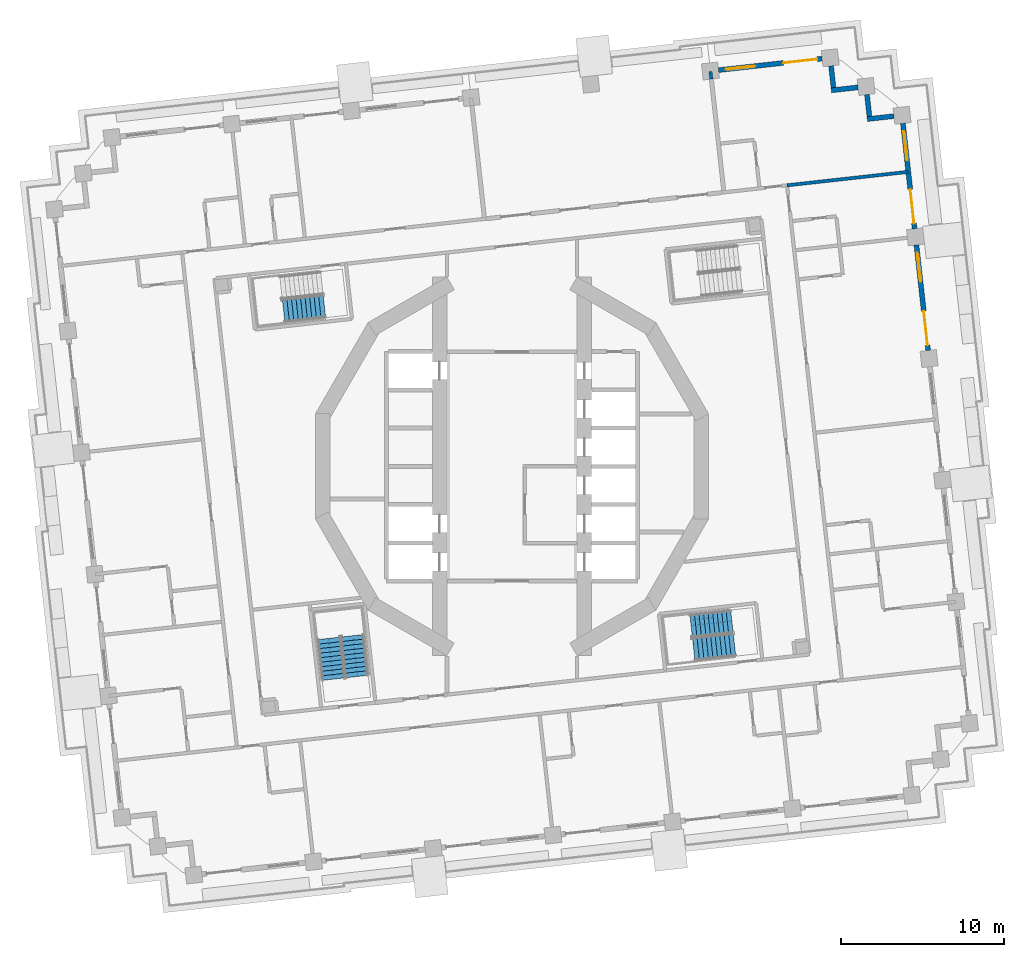
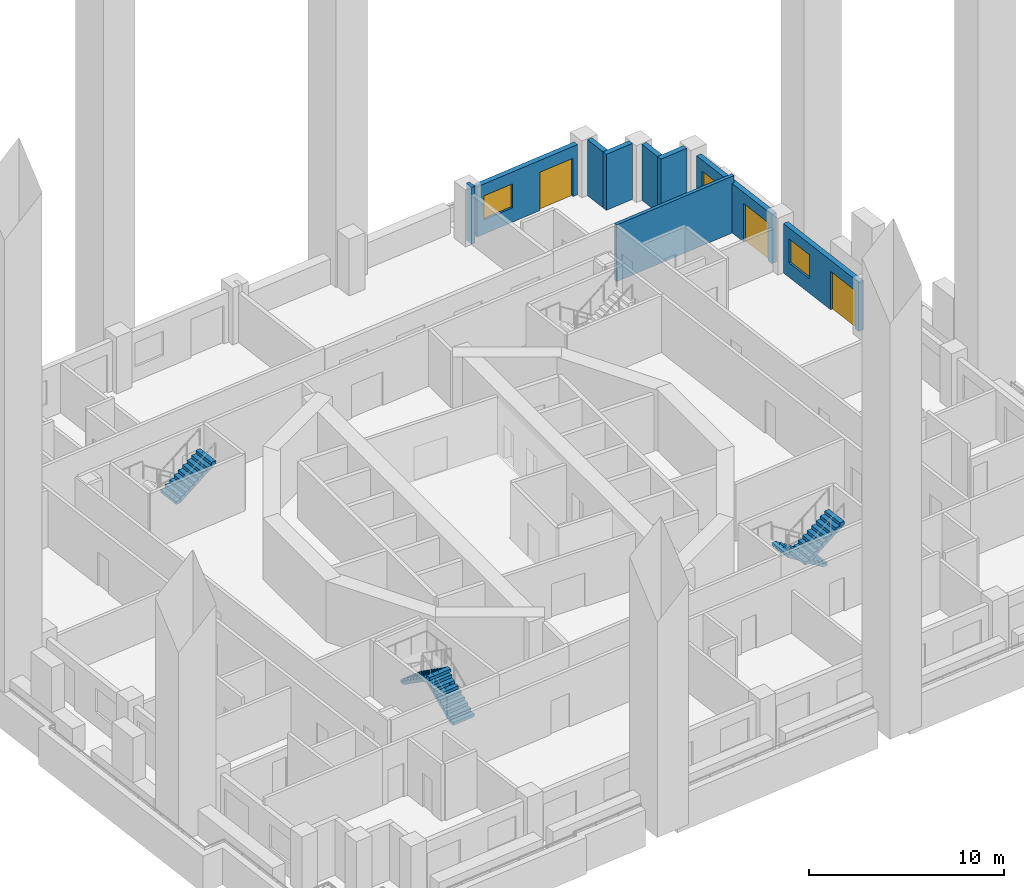
# One storey, part 9 of 20: 9 walls, 5 stair flights, 3 doors, 3 windows, 6 openings, 3 elements without a shape of their own.
"""IFC4 building model written with IfcOpenShell, lengths in metres."""

from ifc_helpers import new_model, si_unit, direction, frame, frame_2d, origin, place, context, subcontext, project, spatial, polyline, rectangle, outline, extrude, material, layer, layer_set, type_object, element, fill, aggregate, save


model = new_model("IFC4")

# Units and contexts
model_context = context("Model", 3, precision=1e-05, world=origin(), true_north=direction((0.0, 1.0)))
body_context = subcontext(model_context, "Body", "Model", "MODEL_VIEW")
ifc_project = project(units=[si_unit("LENGTHUNIT", "METRE"), si_unit("AREAUNIT", "SQUARE_METRE"), si_unit("VOLUMEUNIT", "CUBIC_METRE"), si_unit("PLANEANGLEUNIT", "RADIAN"), si_unit("MASSUNIT", "GRAM", prefix="KILO")], contexts=[model_context])

# Site, building, storey
site_placement = place(None, origin())
site = spatial("IfcSite", under=ifc_project, at=site_placement, CompositionType="ELEMENT")
building_placement = place(site_placement, origin())
building = spatial("IfcBuilding", under=site, at=building_placement, Name="Cantera Rosa Tower", CompositionType="ELEMENT")
storey_placement = place(building_placement, frame((0.0, 0.0, 42.5)))
storey = spatial("IfcBuildingStorey", under=building, at=storey_placement, Name="L07", CompositionType="ELEMENT", Elevation=42.5)

# Walls
ifc_material_1 = material(Name="Hollow clay masonry with cantera stone cladding", Category="masonry")
ifc_layer_1 = layer(ifc_material_1, 0.300048828125)
ifc_layer_set_1 = layer_set([ifc_layer_1], Name="EW-LOGGIA 300")
wall_type_1 = type_object("IfcWallType", Name="EW-LOGGIA 300", PredefinedType="SOLIDWALL", material=ifc_layer_set_1)
wall_1_placement = place(storey_placement, frame((23.46923828125, 21.520263671875, 0.0), z_axis=(0.0, 0.0, 1.0), x_axis=(-0.993905369514, -0.110236638423, 0.0)))
element("IfcWall", 1, at=wall_1_placement, inside=storey, type_object=wall_type_1, Name="EN-L07-W06a", PredefinedType="SOLIDWALL", context=body_context, shape_type="SweptSolid", body=[
    extrude(rectangle(XDim=1.64990234375, YDim=0.300048828125, at=frame_2d((0.824951171875, 0.0))), origin(), (0.0, 0.0, 1.0), 3.5),
])
wall_2_placement = place(storey_placement, frame((21.9619140625, 21.50390625, 0.0), z_axis=(0.0, 0.0, 1.0), x_axis=(-0.110312435488, 0.993896959738, 0.0)))
element("IfcWall", 2, at=wall_2_placement, inside=storey, type_object=wall_type_1, Name="EN-L07-W06b", PredefinedType="SOLIDWALL", context=body_context, shape_type="SweptSolid", body=[
    extrude(rectangle(XDim=1.35009765625, YDim=0.300048828125, at=frame_2d((0.675048828125, 0.0))), origin(), (0.0, 0.0, 1.0), 3.5),
])
wall_3_placement = place(storey_placement, frame((21.2607421875, 23.287353515625, 0.0), z_axis=(0.0, 0.0, 1.0), x_axis=(-0.993905369514, -0.110236638423, 0.0)))
element("IfcWall", 3, at=wall_3_placement, inside=storey, type_object=wall_type_1, Name="EN-L07-W07a", PredefinedType="SOLIDWALL", context=body_context, shape_type="SweptSolid", body=[
    extrude(rectangle(XDim=1.64990234375, YDim=0.300048828125, at=frame_2d((0.824951171875, 0.0))), origin(), (0.0, 0.0, 1.0), 3.5),
])
wall_4_placement = place(storey_placement, frame((19.75341796875, 23.27099609375, 0.0), z_axis=(0.0, 0.0, 1.0), x_axis=(-0.110312435488, 0.993896959738, 0.0)))
element("IfcWall", 4, at=wall_4_placement, inside=storey, type_object=wall_type_1, Name="EN-L07-W07b", PredefinedType="SOLIDWALL", context=body_context, shape_type="SweptSolid", body=[
    extrude(rectangle(XDim=1.35009765625, YDim=0.300048828125, at=frame_2d((0.675048828125, 0.0))), origin(), (0.0, 0.0, 1.0), 3.5),
])

# Wall, openings, window, door
ifc_material_2 = material(Name="Hollow clay masonry with cantera stone cladding", Category="masonry")
ifc_layer_2 = layer(ifc_material_2, 0.300048828125)
ifc_layer_set_2 = layer_set([ifc_layer_2], Name="EW-LOGGIA 300 H3090")
wall_type_2 = type_object("IfcWallType", Name="EW-LOGGIA 300 H3090", PredefinedType="SOLIDWALL", material=ifc_layer_set_2)
wall_5_placement = place(storey_placement, frame((25.570068359375, 7.124267578125, 0.0), z_axis=(0.0, 0.0, 1.0), x_axis=(-0.110312341265, 0.993896970196, 0.0)))
wall_5 = element("IfcWall", 5, at=wall_5_placement, inside=storey, type_object=wall_type_2, Name="EN-L07-W04", PredefinedType="SOLIDWALL", context=body_context, shape_type="SweptSolid", body=[
    extrude(rectangle(XDim=6.52001953125, YDim=0.300048828125, at=frame_2d((3.260009765625, 0.0))), origin(), (0.0, 0.0, 1.0), 3.090087890625),
])
opening_1_placement = place(wall_5_placement, frame((0.330078125, 0.0, 0.0)))
opening_1 = element("IfcOpeningElement", 6, at=opening_1_placement, cuts=wall_5, Name="Opening L07-TD07", PredefinedType="OPENING", context=body_context, shape_type="SweptSolid", body=[
    extrude(rectangle(XDim=2.10009765625, YDim=2.39990234375, at=frame_2d((1.050048828125, 1.199951171875))), frame((0.0, 0.159912109375, 0.0), z_axis=(0.0, -1.0, 0.0), x_axis=(1.0, 0.0, 0.0)), (0.0, 0.0, 1.0), 0.320068359375),
])
opening_2_placement = place(wall_5_placement, frame((4.239990234375, 0.0, 0.89990234375)))
opening_2 = element("IfcOpeningElement", 7, at=opening_2_placement, cuts=wall_5, Name="Opening L07-W08", PredefinedType="OPENING", context=body_context, shape_type="SweptSolid", body=[
    extrude(rectangle(XDim=1.800048828125, YDim=1.5, at=frame_2d((0.89990234375, 0.75))), frame((0.0, 0.159912109375, 0.0), z_axis=(0.0, -1.0, 0.0), x_axis=(1.0, 0.0, 0.0)), (0.0, 0.0, 1.0), 0.320068359375),
])
ifc_material_3 = material(Name="Aluminium frame with clear glass", Category="aluminium")
window_type = type_object("IfcWindowType", Name="Hotel room window 1800x1500", PartitioningType="DOUBLE_PANEL_VERTICAL", PredefinedType="WINDOW", material=ifc_material_3)
window_1_placement = place(opening_2_placement, origin())
window_1 = element("IfcWindow", 8, at=window_1_placement, inside=storey, type_object=window_type, Name="WINDOW L07-W08", OverallHeight=1.5, OverallWidth=1.800048828125, PartitioningType="SINGLE_PANEL", PredefinedType="WINDOW", context=body_context, shape_type="SweptSolid", body=[
    extrude(rectangle(XDim=1.800048828125, YDim=1.5, at=frame_2d((0.89990234375, 0.75))), frame((0.0, 0.030029296875, 0.0), z_axis=(0.0, -1.0, 0.0), x_axis=(1.0, 0.0, 0.0)), (0.0, 0.0, 1.0), 0.06005859375),
])
fill(opening_2, window_1)
ifc_material_4 = material(Name="Aluminium frame with clear glass", Category="aluminium")
door_type = type_object("IfcDoorType", Name="TD-H 2100x2400", OperationType="NOTDEFINED", PredefinedType="DOOR", material=ifc_material_4)
door_1_placement = place(opening_1_placement, origin())
door_1 = element("IfcDoor", 9, at=door_1_placement, inside=storey, type_object=door_type, Name="LOGGIA DOOR L07-TD07", OperationType="SLIDING_TO_LEFT", OverallHeight=2.39990234375, OverallWidth=2.10009765625, PredefinedType="DOOR", context=body_context, shape_type="SweptSolid", body=[
    extrude(rectangle(XDim=2.10009765625, YDim=2.39990234375, at=frame_2d((1.050048828125, 1.199951171875))), frame((0.0, 0.02490234375, 0.0), z_axis=(0.0, -1.0, 0.0), x_axis=(1.0, 0.0, 0.0)), (0.0, 0.0, 1.0), 0.050048828125),
])
fill(opening_1, door_1)

wall_6_placement = place(storey_placement, frame((24.74072265625, 14.598388671875, 0.0), z_axis=(0.0, 0.0, 1.0), x_axis=(-0.110312341265, 0.993896970196, 0.0)))
wall_6 = element("IfcWall", 10, at=wall_6_placement, inside=storey, type_object=wall_type_2, Name="EN-L07-W05", PredefinedType="SOLIDWALL", context=body_context, shape_type="SweptSolid", body=[
    extrude(rectangle(XDim=6.52001953125, YDim=0.300048828125, at=frame_2d((3.260009765625, 0.0))), origin(), (0.0, 0.0, 1.0), 3.090087890625),
])
opening_3_placement = place(wall_6_placement, frame((0.330078125, 0.0, 0.0)))
opening_3 = element("IfcOpeningElement", 11, at=opening_3_placement, cuts=wall_6, Name="Opening L07-TD09", PredefinedType="OPENING", context=body_context, shape_type="SweptSolid", body=[
    extrude(rectangle(XDim=2.10009765625, YDim=2.39990234375, at=frame_2d((1.050048828125, 1.199951171875))), frame((0.0, 0.159912109375, 0.0), z_axis=(0.0, -1.0, 0.0), x_axis=(1.0, 0.0, 0.0)), (0.0, 0.0, 1.0), 0.320068359375),
])
opening_4_placement = place(wall_6_placement, frame((4.239990234375, 0.0, 0.89990234375)))
opening_4 = element("IfcOpeningElement", 12, at=opening_4_placement, cuts=wall_6, Name="Opening L07-W10", PredefinedType="OPENING", context=body_context, shape_type="SweptSolid", body=[
    extrude(rectangle(XDim=1.800048828125, YDim=1.5, at=frame_2d((0.89990234375, 0.75))), frame((0.0, 0.159912109375, 0.0), z_axis=(0.0, -1.0, 0.0), x_axis=(1.0, 0.0, 0.0)), (0.0, 0.0, 1.0), 0.320068359375),
])
window_2_placement = place(opening_4_placement, origin())
window_2 = element("IfcWindow", 13, at=window_2_placement, inside=storey, type_object=window_type, Name="WINDOW L07-W10", OverallHeight=1.5, OverallWidth=1.800048828125, PartitioningType="SINGLE_PANEL", PredefinedType="WINDOW", context=body_context, shape_type="SweptSolid", body=[
    extrude(rectangle(XDim=1.800048828125, YDim=1.5, at=frame_2d((0.89990234375, 0.75))), frame((0.0, 0.030029296875, 0.0), z_axis=(0.0, -1.0, 0.0), x_axis=(1.0, 0.0, 0.0)), (0.0, 0.0, 1.0), 0.06005859375),
])
fill(opening_4, window_2)
door_2_placement = place(opening_3_placement, origin())
door_2 = element("IfcDoor", 14, at=door_2_placement, inside=storey, type_object=door_type, Name="LOGGIA DOOR L07-TD09", OperationType="SLIDING_TO_LEFT", OverallHeight=2.39990234375, OverallWidth=2.10009765625, PredefinedType="DOOR", context=body_context, shape_type="SweptSolid", body=[
    extrude(rectangle(XDim=2.10009765625, YDim=2.39990234375, at=frame_2d((1.050048828125, 1.199951171875))), frame((0.0, 0.02490234375, 0.0), z_axis=(0.0, -1.0, 0.0), x_axis=(1.0, 0.0, 0.0)), (0.0, 0.0, 1.0), 0.050048828125),
])
fill(opening_3, door_2)

ifc_material_5 = material(Name="Hollow clay masonry with cantera stone cladding", Category="masonry")
ifc_layer_3 = layer(ifc_material_5, 0.300048828125)
ifc_layer_set_3 = layer_set([ifc_layer_3], Name="EW-LOGGIA 300 H3140")
wall_type_3 = type_object("IfcWallType", Name="EW-LOGGIA 300 H3140", PredefinedType="SOLIDWALL", material=ifc_layer_set_3)
wall_7_placement = place(storey_placement, frame((19.052490234375, 25.0546875, 0.0), z_axis=(0.0, 0.0, 1.0), x_axis=(-0.993896288542, -0.110318482689, 0.0)))
wall_7 = element("IfcWall", 15, at=wall_7_placement, inside=storey, type_object=wall_type_3, Name="EN-L07-W08", PredefinedType="SOLIDWALL", context=body_context, shape_type="SweptSolid", body=[
    extrude(rectangle(XDim=6.400146484375, YDim=0.300048828125, at=frame_2d((3.2001953125, 0.0))), origin(), (0.0, 0.0, 1.0), 3.139892578125),
])
opening_5_placement = place(wall_7_placement, frame((0.300048828125, 0.0, 0.0)))
opening_5 = element("IfcOpeningElement", 16, at=opening_5_placement, cuts=wall_7, Name="Opening L07-TD11", PredefinedType="OPENING", context=body_context, shape_type="SweptSolid", body=[
    extrude(rectangle(XDim=2.10009765625, YDim=2.39990234375, at=frame_2d((1.050048828125, 1.199951171875))), frame((0.0, 0.159912109375, 0.0), z_axis=(0.0, -1.0, 0.0), x_axis=(1.0, 0.0, 0.0)), (0.0, 0.0, 1.0), 0.320068359375),
])
opening_6_placement = place(wall_7_placement, frame((4.14990234375, 0.0, 0.89990234375)))
opening_6 = element("IfcOpeningElement", 17, at=opening_6_placement, cuts=wall_7, Name="Opening L07-W12", PredefinedType="OPENING", context=body_context, shape_type="SweptSolid", body=[
    extrude(rectangle(XDim=1.800048828125, YDim=1.5, at=frame_2d((0.89990234375, 0.75))), frame((0.0, 0.159912109375, 0.0), z_axis=(0.0, -1.0, 0.0), x_axis=(1.0, 0.0, 0.0)), (0.0, 0.0, 1.0), 0.320068359375),
])
window_3_placement = place(opening_6_placement, origin())
window_3 = element("IfcWindow", 18, at=window_3_placement, inside=storey, type_object=window_type, Name="WINDOW L07-W12", OverallHeight=1.5, OverallWidth=1.800048828125, PartitioningType="SINGLE_PANEL", PredefinedType="WINDOW", context=body_context, shape_type="SweptSolid", body=[
    extrude(rectangle(XDim=1.800048828125, YDim=1.5, at=frame_2d((0.89990234375, 0.75))), frame((0.0, 0.030029296875, 0.0), z_axis=(0.0, -1.0, 0.0), x_axis=(1.0, 0.0, 0.0)), (0.0, 0.0, 1.0), 0.06005859375),
])
fill(opening_6, window_3)
door_3_placement = place(opening_5_placement, origin())
door_3 = element("IfcDoor", 19, at=door_3_placement, inside=storey, type_object=door_type, Name="LOGGIA DOOR L07-TD11", OperationType="SLIDING_TO_LEFT", OverallHeight=2.39990234375, OverallWidth=2.10009765625, PredefinedType="DOOR", context=body_context, shape_type="SweptSolid", body=[
    extrude(rectangle(XDim=2.10009765625, YDim=2.39990234375, at=frame_2d((1.050048828125, 1.199951171875))), frame((0.0, 0.02490234375, 0.0), z_axis=(0.0, -1.0, 0.0), x_axis=(1.0, 0.0, 0.0)), (0.0, 0.0, 1.0), 0.050048828125),
])
fill(opening_5, door_3)

# Walls
ifc_material_6 = material(Name="Gypsum board partition")
ifc_layer_4 = layer(ifc_material_6, 0.199951171875)
ifc_layer_set_4 = layer_set([ifc_layer_4], Name="PARTY WALL 200 H3550")
wall_type_4 = type_object("IfcWallType", Name="PARTY WALL 200 H3550", PredefinedType="PARTITIONING", material=ifc_layer_set_4)
wall_8_placement = place(storey_placement, frame((12.249755859375, 23.79638671875, 0.0), z_axis=(0.0, 0.0, 1.0), x_axis=(-0.110089547864, 0.993921672694, 0.0)))
element("IfcWall", 20, at=wall_8_placement, inside=storey, type_object=wall_type_4, Name="PARTY WALL L07-081", PredefinedType="PARTITIONING", context=body_context, shape_type="SweptSolid", body=[
    extrude(rectangle(XDim=0.47021484375, YDim=0.199951171875, at=frame_2d((0.235107421875, 0.0))), origin(), (0.0, 0.0, 1.0), 3.550048828125),
])
wall_9_placement = place(storey_placement, frame((16.898193359375, 17.26953125, 0.0), z_axis=(0.0, 0.0, 1.0), x_axis=(0.993897676912, 0.110305973679, 0.0)))
element("IfcWall", 21, at=wall_9_placement, inside=storey, type_object=wall_type_4, Name="PARTY WALL L07-097", PredefinedType="PARTITIONING", context=body_context, shape_type="SweptSolid", body=[
    extrude(rectangle(XDim=7.469970703125, YDim=0.199951171875, at=frame_2d((3.73486328125, 0.0))), origin(), (0.0, 0.0, 1.0), 3.550048828125),
])

# Stair, stair flight
ifc_material_7 = material(Name="Concrete C35/45", Category="concrete")
stair_type = type_object("IfcStairType", Name="EXIT STAIR 1350 DOGLEG", PredefinedType="HALF_TURN_STAIR", material=ifc_material_7)
stair_1_placement = place(storey_placement, origin())
stair_1 = element("IfcStair", 22, at=stair_1_placement, inside=storey, type_object=stair_type, Name="L07 ST-12", PredefinedType="HALF_TURN_STAIR")
ifc_material_8 = material(Name="Concrete C35/45", Category="concrete")
stair_flight_type = type_object("IfcStairFlightType", Name="STAIR FLIGHT 1350 R20x190", PredefinedType="STRAIGHT", material=ifc_material_8)
stair_flight_1_placement = place(storey_placement, frame((-14.030517578125, 9.531005859375, 1.89990234375), z_axis=(0.0, 0.0, 1.0), x_axis=(0.993896947056, 0.110312549749, 0.0)))
stair_flight_1 = element("IfcStairFlight", 23, at=stair_flight_1_placement, type_object=stair_flight_type, Name="ST-12 flight 2", NumberOfRisers=10, NumberOfTreads=9, PredefinedType="STRAIGHT", RiserHeight=0.19, TreadLength=0.28, context=body_context, shape_type="SweptSolid", body=[
    extrude(outline(polyline([(0.0, 0.0), (0.0, 0.18994140625), (0.280029296875, 0.18994140625), (0.280029296875, 0.3798828125), (0.56005859375, 0.3798828125), (0.56005859375, 0.570068359375), (0.840087890625, 0.570068359375), (0.840087890625, 0.760009765625), (1.1201171875, 0.760009765625), (1.1201171875, 0.949951171875), (1.39990234375, 0.949951171875), (1.39990234375, 1.139892578125), (1.679931640625, 1.139892578125), (1.679931640625, 1.330078125), (1.9599609375, 1.330078125), (1.9599609375, 1.52001953125), (2.239990234375, 1.52001953125), (2.239990234375, 1.7099609375), (2.52001953125, 1.7099609375), (2.52001953125, 1.89990234375), (2.52001953125, 1.52880859375), (0.266845703125, 0.0), (0.0, 0.0)])), frame((0.0, 0.675048828125, 0.0), z_axis=(0.0, -1.0, 0.0), x_axis=(1.0, 0.0, 0.0)), (0.0, 0.0, 1.0), 0.3359375),
    extrude(outline(polyline([(0.0, 0.0), (0.0, 0.18994140625), (0.280029296875, 0.18994140625), (0.280029296875, 0.3798828125), (0.56005859375, 0.3798828125), (0.56005859375, 0.570068359375), (0.840087890625, 0.570068359375), (0.840087890625, 0.760009765625), (1.1201171875, 0.760009765625), (1.1201171875, 0.949951171875), (1.39990234375, 0.949951171875), (1.39990234375, 1.139892578125), (1.679931640625, 1.139892578125), (1.679931640625, 1.330078125), (1.9599609375, 1.330078125), (1.9599609375, 1.52001953125), (2.239990234375, 1.52001953125), (2.239990234375, 1.7099609375), (2.52001953125, 1.7099609375), (2.52001953125, 1.89990234375), (2.52001953125, 1.52880859375), (0.266845703125, 0.0), (0.0, 0.0)])), frame((0.0, 0.337158203125, 0.0), z_axis=(0.0, -1.0, 0.0), x_axis=(1.0, 0.0, 0.0)), (0.0, 0.0, 1.0), 0.3359375),
    extrude(outline(polyline([(0.0, 0.0), (0.0, 0.18994140625), (0.280029296875, 0.18994140625), (0.280029296875, 0.3798828125), (0.56005859375, 0.3798828125), (0.56005859375, 0.570068359375), (0.840087890625, 0.570068359375), (0.840087890625, 0.760009765625), (1.1201171875, 0.760009765625), (1.1201171875, 0.949951171875), (1.39990234375, 0.949951171875), (1.39990234375, 1.139892578125), (1.679931640625, 1.139892578125), (1.679931640625, 1.330078125), (1.9599609375, 1.330078125), (1.9599609375, 1.52001953125), (2.239990234375, 1.52001953125), (2.239990234375, 1.7099609375), (2.52001953125, 1.7099609375), (2.52001953125, 1.89990234375), (2.52001953125, 1.52880859375), (0.266845703125, 0.0), (0.0, 0.0)])), frame((0.0, -0.000732421875, 0.0), z_axis=(0.0, -1.0, 0.0), x_axis=(1.0, 0.0, 0.0)), (0.0, 0.0, 1.0), 0.3359375),
    extrude(outline(polyline([(0.0, 0.0), (0.0, 0.18994140625), (0.280029296875, 0.18994140625), (0.280029296875, 0.3798828125), (0.56005859375, 0.3798828125), (0.56005859375, 0.570068359375), (0.840087890625, 0.570068359375), (0.840087890625, 0.760009765625), (1.1201171875, 0.760009765625), (1.1201171875, 0.949951171875), (1.39990234375, 0.949951171875), (1.39990234375, 1.139892578125), (1.679931640625, 1.139892578125), (1.679931640625, 1.330078125), (1.9599609375, 1.330078125), (1.9599609375, 1.52001953125), (2.239990234375, 1.52001953125), (2.239990234375, 1.7099609375), (2.52001953125, 1.7099609375), (2.52001953125, 1.89990234375), (2.52001953125, 1.52880859375), (0.266845703125, 0.0), (0.0, 0.0)])), frame((0.0, -0.338623046875, 0.0), z_axis=(0.0, -1.0, 0.0), x_axis=(1.0, 0.0, 0.0)), (0.0, 0.0, 1.0), 0.3359375),
])
aggregate(stair_1, [stair_flight_1])

# Stair, stair flights
stair_2_placement = place(storey_placement, origin())
stair_2 = element("IfcStair", 24, at=stair_2_placement, inside=storey, type_object=stair_type, Name="L07 ST-13", PredefinedType="HALF_TURN_STAIR")
stair_flight_2_placement = place(storey_placement, frame((-9.500244140625, -12.90869140625, 0.0), z_axis=(0.0, 0.0, 1.0), x_axis=(-0.110312549749, 0.993896947056, 0.0)))
stair_flight_2 = element("IfcStairFlight", 25, at=stair_flight_2_placement, type_object=stair_flight_type, Name="ST-13 flight 1", NumberOfRisers=10, NumberOfTreads=9, PredefinedType="STRAIGHT", RiserHeight=0.19, TreadLength=0.28, context=body_context, shape_type="SweptSolid", body=[
    extrude(outline(polyline([(0.0, 0.0), (0.0, 0.18994140625), (0.280029296875, 0.18994140625), (0.280029296875, 0.3798828125), (0.56005859375, 0.3798828125), (0.56005859375, 0.570068359375), (0.840087890625, 0.570068359375), (0.840087890625, 0.760009765625), (1.1201171875, 0.760009765625), (1.1201171875, 0.949951171875), (1.39990234375, 0.949951171875), (1.39990234375, 1.139892578125), (1.679931640625, 1.139892578125), (1.679931640625, 1.330078125), (1.9599609375, 1.330078125), (1.9599609375, 1.52001953125), (2.239990234375, 1.52001953125), (2.239990234375, 1.7099609375), (2.52001953125, 1.7099609375), (2.52001953125, 1.89990234375), (2.52001953125, 1.52880859375), (0.266845703125, 0.0), (0.0, 0.0)])), frame((0.0, 0.675048828125, 0.0), z_axis=(0.0, -1.0, 0.0), x_axis=(1.0, 0.0, 0.0)), (0.0, 0.0, 1.0), 0.3359375),
    extrude(outline(polyline([(0.0, 0.0), (0.0, 0.18994140625), (0.280029296875, 0.18994140625), (0.280029296875, 0.3798828125), (0.56005859375, 0.3798828125), (0.56005859375, 0.570068359375), (0.840087890625, 0.570068359375), (0.840087890625, 0.760009765625), (1.1201171875, 0.760009765625), (1.1201171875, 0.949951171875), (1.39990234375, 0.949951171875), (1.39990234375, 1.139892578125), (1.679931640625, 1.139892578125), (1.679931640625, 1.330078125), (1.9599609375, 1.330078125), (1.9599609375, 1.52001953125), (2.239990234375, 1.52001953125), (2.239990234375, 1.7099609375), (2.52001953125, 1.7099609375), (2.52001953125, 1.89990234375), (2.52001953125, 1.52880859375), (0.266845703125, 0.0), (0.0, 0.0)])), frame((0.0, 0.337158203125, 0.0), z_axis=(0.0, -1.0, 0.0), x_axis=(1.0, 0.0, 0.0)), (0.0, 0.0, 1.0), 0.3359375),
    extrude(outline(polyline([(0.0, 0.0), (0.0, 0.18994140625), (0.280029296875, 0.18994140625), (0.280029296875, 0.3798828125), (0.56005859375, 0.3798828125), (0.56005859375, 0.570068359375), (0.840087890625, 0.570068359375), (0.840087890625, 0.760009765625), (1.1201171875, 0.760009765625), (1.1201171875, 0.949951171875), (1.39990234375, 0.949951171875), (1.39990234375, 1.139892578125), (1.679931640625, 1.139892578125), (1.679931640625, 1.330078125), (1.9599609375, 1.330078125), (1.9599609375, 1.52001953125), (2.239990234375, 1.52001953125), (2.239990234375, 1.7099609375), (2.52001953125, 1.7099609375), (2.52001953125, 1.89990234375), (2.52001953125, 1.52880859375), (0.266845703125, 0.0), (0.0, 0.0)])), frame((0.0, -0.000732421875, 0.0), z_axis=(0.0, -1.0, 0.0), x_axis=(1.0, 0.0, 0.0)), (0.0, 0.0, 1.0), 0.3359375),
    extrude(outline(polyline([(0.0, 0.0), (0.0, 0.18994140625), (0.280029296875, 0.18994140625), (0.280029296875, 0.3798828125), (0.56005859375, 0.3798828125), (0.56005859375, 0.570068359375), (0.840087890625, 0.570068359375), (0.840087890625, 0.760009765625), (1.1201171875, 0.760009765625), (1.1201171875, 0.949951171875), (1.39990234375, 0.949951171875), (1.39990234375, 1.139892578125), (1.679931640625, 1.139892578125), (1.679931640625, 1.330078125), (1.9599609375, 1.330078125), (1.9599609375, 1.52001953125), (2.239990234375, 1.52001953125), (2.239990234375, 1.7099609375), (2.52001953125, 1.7099609375), (2.52001953125, 1.89990234375), (2.52001953125, 1.52880859375), (0.266845703125, 0.0), (0.0, 0.0)])), frame((0.0, -0.338623046875, 0.0), z_axis=(0.0, -1.0, 0.0), x_axis=(1.0, 0.0, 0.0)), (0.0, 0.0, 1.0), 0.3359375),
])
stair_flight_3_placement = place(storey_placement, frame((-11.26904296875, -10.569580078125, 1.89990234375), z_axis=(0.0, 0.0, 1.0), x_axis=(0.110312549749, -0.993896947056, 0.0)))
stair_flight_3 = element("IfcStairFlight", 26, at=stair_flight_3_placement, type_object=stair_flight_type, Name="ST-13 flight 2", NumberOfRisers=10, NumberOfTreads=9, PredefinedType="STRAIGHT", RiserHeight=0.19, TreadLength=0.28, context=body_context, shape_type="SweptSolid", body=[
    extrude(outline(polyline([(0.0, 0.0), (0.0, 0.18994140625), (0.280029296875, 0.18994140625), (0.280029296875, 0.3798828125), (0.56005859375, 0.3798828125), (0.56005859375, 0.570068359375), (0.840087890625, 0.570068359375), (0.840087890625, 0.760009765625), (1.1201171875, 0.760009765625), (1.1201171875, 0.949951171875), (1.39990234375, 0.949951171875), (1.39990234375, 1.139892578125), (1.679931640625, 1.139892578125), (1.679931640625, 1.330078125), (1.9599609375, 1.330078125), (1.9599609375, 1.52001953125), (2.239990234375, 1.52001953125), (2.239990234375, 1.7099609375), (2.52001953125, 1.7099609375), (2.52001953125, 1.89990234375), (2.52001953125, 1.52880859375), (0.266845703125, 0.0), (0.0, 0.0)])), frame((0.0, 0.675048828125, 0.0), z_axis=(0.0, -1.0, 0.0), x_axis=(1.0, 0.0, 0.0)), (0.0, 0.0, 1.0), 0.3359375),
    extrude(outline(polyline([(0.0, 0.0), (0.0, 0.18994140625), (0.280029296875, 0.18994140625), (0.280029296875, 0.3798828125), (0.56005859375, 0.3798828125), (0.56005859375, 0.570068359375), (0.840087890625, 0.570068359375), (0.840087890625, 0.760009765625), (1.1201171875, 0.760009765625), (1.1201171875, 0.949951171875), (1.39990234375, 0.949951171875), (1.39990234375, 1.139892578125), (1.679931640625, 1.139892578125), (1.679931640625, 1.330078125), (1.9599609375, 1.330078125), (1.9599609375, 1.52001953125), (2.239990234375, 1.52001953125), (2.239990234375, 1.7099609375), (2.52001953125, 1.7099609375), (2.52001953125, 1.89990234375), (2.52001953125, 1.52880859375), (0.266845703125, 0.0), (0.0, 0.0)])), frame((0.0, 0.337158203125, 0.0), z_axis=(0.0, -1.0, 0.0), x_axis=(1.0, 0.0, 0.0)), (0.0, 0.0, 1.0), 0.3359375),
    extrude(outline(polyline([(0.0, 0.0), (0.0, 0.18994140625), (0.280029296875, 0.18994140625), (0.280029296875, 0.3798828125), (0.56005859375, 0.3798828125), (0.56005859375, 0.570068359375), (0.840087890625, 0.570068359375), (0.840087890625, 0.760009765625), (1.1201171875, 0.760009765625), (1.1201171875, 0.949951171875), (1.39990234375, 0.949951171875), (1.39990234375, 1.139892578125), (1.679931640625, 1.139892578125), (1.679931640625, 1.330078125), (1.9599609375, 1.330078125), (1.9599609375, 1.52001953125), (2.239990234375, 1.52001953125), (2.239990234375, 1.7099609375), (2.52001953125, 1.7099609375), (2.52001953125, 1.89990234375), (2.52001953125, 1.52880859375), (0.266845703125, 0.0), (0.0, 0.0)])), frame((0.0, -0.000732421875, 0.0), z_axis=(0.0, -1.0, 0.0), x_axis=(1.0, 0.0, 0.0)), (0.0, 0.0, 1.0), 0.3359375),
    extrude(outline(polyline([(0.0, 0.0), (0.0, 0.18994140625), (0.280029296875, 0.18994140625), (0.280029296875, 0.3798828125), (0.56005859375, 0.3798828125), (0.56005859375, 0.570068359375), (0.840087890625, 0.570068359375), (0.840087890625, 0.760009765625), (1.1201171875, 0.760009765625), (1.1201171875, 0.949951171875), (1.39990234375, 0.949951171875), (1.39990234375, 1.139892578125), (1.679931640625, 1.139892578125), (1.679931640625, 1.330078125), (1.9599609375, 1.330078125), (1.9599609375, 1.52001953125), (2.239990234375, 1.52001953125), (2.239990234375, 1.7099609375), (2.52001953125, 1.7099609375), (2.52001953125, 1.89990234375), (2.52001953125, 1.52880859375), (0.266845703125, 0.0), (0.0, 0.0)])), frame((0.0, -0.338623046875, 0.0), z_axis=(0.0, -1.0, 0.0), x_axis=(1.0, 0.0, 0.0)), (0.0, 0.0, 1.0), 0.3359375),
])
aggregate(stair_2, [stair_flight_2, stair_flight_3])

stair_3_placement = place(storey_placement, origin())
stair_3 = element("IfcStair", 27, at=stair_3_placement, inside=storey, type_object=stair_type, Name="L07 ST-14", PredefinedType="HALF_TURN_STAIR")
stair_flight_4_placement = place(storey_placement, frame((13.5087890625, -9.500244140625, 0.0), z_axis=(0.0, 0.0, 1.0), x_axis=(-0.993896947056, -0.110312549749, 0.0)))
stair_flight_4 = element("IfcStairFlight", 28, at=stair_flight_4_placement, type_object=stair_flight_type, Name="ST-14 flight 1", NumberOfRisers=10, NumberOfTreads=9, PredefinedType="STRAIGHT", RiserHeight=0.19, TreadLength=0.28, context=body_context, shape_type="SweptSolid", body=[
    extrude(outline(polyline([(0.0, 0.0), (0.0, 0.18994140625), (0.280029296875, 0.18994140625), (0.280029296875, 0.3798828125), (0.56005859375, 0.3798828125), (0.56005859375, 0.570068359375), (0.840087890625, 0.570068359375), (0.840087890625, 0.760009765625), (1.1201171875, 0.760009765625), (1.1201171875, 0.949951171875), (1.39990234375, 0.949951171875), (1.39990234375, 1.139892578125), (1.679931640625, 1.139892578125), (1.679931640625, 1.330078125), (1.9599609375, 1.330078125), (1.9599609375, 1.52001953125), (2.239990234375, 1.52001953125), (2.239990234375, 1.7099609375), (2.52001953125, 1.7099609375), (2.52001953125, 1.89990234375), (2.52001953125, 1.52880859375), (0.266845703125, 0.0), (0.0, 0.0)])), frame((0.0, 0.675048828125, 0.0), z_axis=(0.0, -1.0, 0.0), x_axis=(1.0, 0.0, 0.0)), (0.0, 0.0, 1.0), 0.3359375),
    extrude(outline(polyline([(0.0, 0.0), (0.0, 0.18994140625), (0.280029296875, 0.18994140625), (0.280029296875, 0.3798828125), (0.56005859375, 0.3798828125), (0.56005859375, 0.570068359375), (0.840087890625, 0.570068359375), (0.840087890625, 0.760009765625), (1.1201171875, 0.760009765625), (1.1201171875, 0.949951171875), (1.39990234375, 0.949951171875), (1.39990234375, 1.139892578125), (1.679931640625, 1.139892578125), (1.679931640625, 1.330078125), (1.9599609375, 1.330078125), (1.9599609375, 1.52001953125), (2.239990234375, 1.52001953125), (2.239990234375, 1.7099609375), (2.52001953125, 1.7099609375), (2.52001953125, 1.89990234375), (2.52001953125, 1.52880859375), (0.266845703125, 0.0), (0.0, 0.0)])), frame((0.0, 0.337158203125, 0.0), z_axis=(0.0, -1.0, 0.0), x_axis=(1.0, 0.0, 0.0)), (0.0, 0.0, 1.0), 0.3359375),
    extrude(outline(polyline([(0.0, 0.0), (0.0, 0.18994140625), (0.280029296875, 0.18994140625), (0.280029296875, 0.3798828125), (0.56005859375, 0.3798828125), (0.56005859375, 0.570068359375), (0.840087890625, 0.570068359375), (0.840087890625, 0.760009765625), (1.1201171875, 0.760009765625), (1.1201171875, 0.949951171875), (1.39990234375, 0.949951171875), (1.39990234375, 1.139892578125), (1.679931640625, 1.139892578125), (1.679931640625, 1.330078125), (1.9599609375, 1.330078125), (1.9599609375, 1.52001953125), (2.239990234375, 1.52001953125), (2.239990234375, 1.7099609375), (2.52001953125, 1.7099609375), (2.52001953125, 1.89990234375), (2.52001953125, 1.52880859375), (0.266845703125, 0.0), (0.0, 0.0)])), frame((0.0, -0.000732421875, 0.0), z_axis=(0.0, -1.0, 0.0), x_axis=(1.0, 0.0, 0.0)), (0.0, 0.0, 1.0), 0.3359375),
    extrude(outline(polyline([(0.0, 0.0), (0.0, 0.18994140625), (0.280029296875, 0.18994140625), (0.280029296875, 0.3798828125), (0.56005859375, 0.3798828125), (0.56005859375, 0.570068359375), (0.840087890625, 0.570068359375), (0.840087890625, 0.760009765625), (1.1201171875, 0.760009765625), (1.1201171875, 0.949951171875), (1.39990234375, 0.949951171875), (1.39990234375, 1.139892578125), (1.679931640625, 1.139892578125), (1.679931640625, 1.330078125), (1.9599609375, 1.330078125), (1.9599609375, 1.52001953125), (2.239990234375, 1.52001953125), (2.239990234375, 1.7099609375), (2.52001953125, 1.7099609375), (2.52001953125, 1.89990234375), (2.52001953125, 1.52880859375), (0.266845703125, 0.0), (0.0, 0.0)])), frame((0.0, -0.338623046875, 0.0), z_axis=(0.0, -1.0, 0.0), x_axis=(1.0, 0.0, 0.0)), (0.0, 0.0, 1.0), 0.3359375),
])
stair_flight_5_placement = place(storey_placement, frame((11.169677734375, -11.26904296875, 1.89990234375), z_axis=(0.0, 0.0, 1.0), x_axis=(0.993896947056, 0.110312549749, 0.0)))
stair_flight_5 = element("IfcStairFlight", 29, at=stair_flight_5_placement, type_object=stair_flight_type, Name="ST-14 flight 2", NumberOfRisers=10, NumberOfTreads=9, PredefinedType="STRAIGHT", RiserHeight=0.19, TreadLength=0.28, context=body_context, shape_type="SweptSolid", body=[
    extrude(outline(polyline([(0.0, 0.0), (0.0, 0.18994140625), (0.280029296875, 0.18994140625), (0.280029296875, 0.3798828125), (0.56005859375, 0.3798828125), (0.56005859375, 0.570068359375), (0.840087890625, 0.570068359375), (0.840087890625, 0.760009765625), (1.1201171875, 0.760009765625), (1.1201171875, 0.949951171875), (1.39990234375, 0.949951171875), (1.39990234375, 1.139892578125), (1.679931640625, 1.139892578125), (1.679931640625, 1.330078125), (1.9599609375, 1.330078125), (1.9599609375, 1.52001953125), (2.239990234375, 1.52001953125), (2.239990234375, 1.7099609375), (2.52001953125, 1.7099609375), (2.52001953125, 1.89990234375), (2.52001953125, 1.52880859375), (0.266845703125, 0.0), (0.0, 0.0)])), frame((0.0, 0.675048828125, 0.0), z_axis=(0.0, -1.0, 0.0), x_axis=(1.0, 0.0, 0.0)), (0.0, 0.0, 1.0), 0.3359375),
    extrude(outline(polyline([(0.0, 0.0), (0.0, 0.18994140625), (0.280029296875, 0.18994140625), (0.280029296875, 0.3798828125), (0.56005859375, 0.3798828125), (0.56005859375, 0.570068359375), (0.840087890625, 0.570068359375), (0.840087890625, 0.760009765625), (1.1201171875, 0.760009765625), (1.1201171875, 0.949951171875), (1.39990234375, 0.949951171875), (1.39990234375, 1.139892578125), (1.679931640625, 1.139892578125), (1.679931640625, 1.330078125), (1.9599609375, 1.330078125), (1.9599609375, 1.52001953125), (2.239990234375, 1.52001953125), (2.239990234375, 1.7099609375), (2.52001953125, 1.7099609375), (2.52001953125, 1.89990234375), (2.52001953125, 1.52880859375), (0.266845703125, 0.0), (0.0, 0.0)])), frame((0.0, 0.337158203125, 0.0), z_axis=(0.0, -1.0, 0.0), x_axis=(1.0, 0.0, 0.0)), (0.0, 0.0, 1.0), 0.3359375),
    extrude(outline(polyline([(0.0, 0.0), (0.0, 0.18994140625), (0.280029296875, 0.18994140625), (0.280029296875, 0.3798828125), (0.56005859375, 0.3798828125), (0.56005859375, 0.570068359375), (0.840087890625, 0.570068359375), (0.840087890625, 0.760009765625), (1.1201171875, 0.760009765625), (1.1201171875, 0.949951171875), (1.39990234375, 0.949951171875), (1.39990234375, 1.139892578125), (1.679931640625, 1.139892578125), (1.679931640625, 1.330078125), (1.9599609375, 1.330078125), (1.9599609375, 1.52001953125), (2.239990234375, 1.52001953125), (2.239990234375, 1.7099609375), (2.52001953125, 1.7099609375), (2.52001953125, 1.89990234375), (2.52001953125, 1.52880859375), (0.266845703125, 0.0), (0.0, 0.0)])), frame((0.0, -0.000732421875, 0.0), z_axis=(0.0, -1.0, 0.0), x_axis=(1.0, 0.0, 0.0)), (0.0, 0.0, 1.0), 0.3359375),
    extrude(outline(polyline([(0.0, 0.0), (0.0, 0.18994140625), (0.280029296875, 0.18994140625), (0.280029296875, 0.3798828125), (0.56005859375, 0.3798828125), (0.56005859375, 0.570068359375), (0.840087890625, 0.570068359375), (0.840087890625, 0.760009765625), (1.1201171875, 0.760009765625), (1.1201171875, 0.949951171875), (1.39990234375, 0.949951171875), (1.39990234375, 1.139892578125), (1.679931640625, 1.139892578125), (1.679931640625, 1.330078125), (1.9599609375, 1.330078125), (1.9599609375, 1.52001953125), (2.239990234375, 1.52001953125), (2.239990234375, 1.7099609375), (2.52001953125, 1.7099609375), (2.52001953125, 1.89990234375), (2.52001953125, 1.52880859375), (0.266845703125, 0.0), (0.0, 0.0)])), frame((0.0, -0.338623046875, 0.0), z_axis=(0.0, -1.0, 0.0), x_axis=(1.0, 0.0, 0.0)), (0.0, 0.0, 1.0), 0.3359375),
])
aggregate(stair_3, [stair_flight_4, stair_flight_5])

save(model, "model.ifc")
